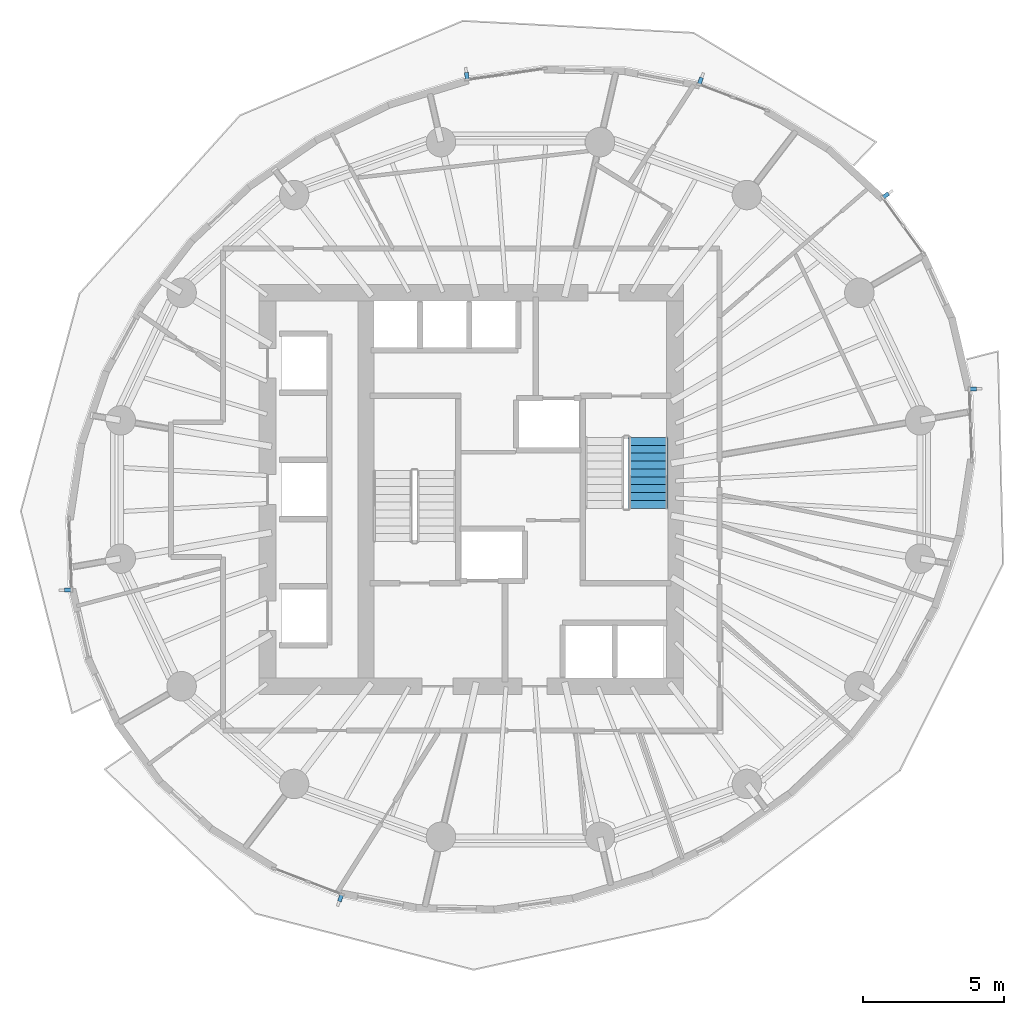
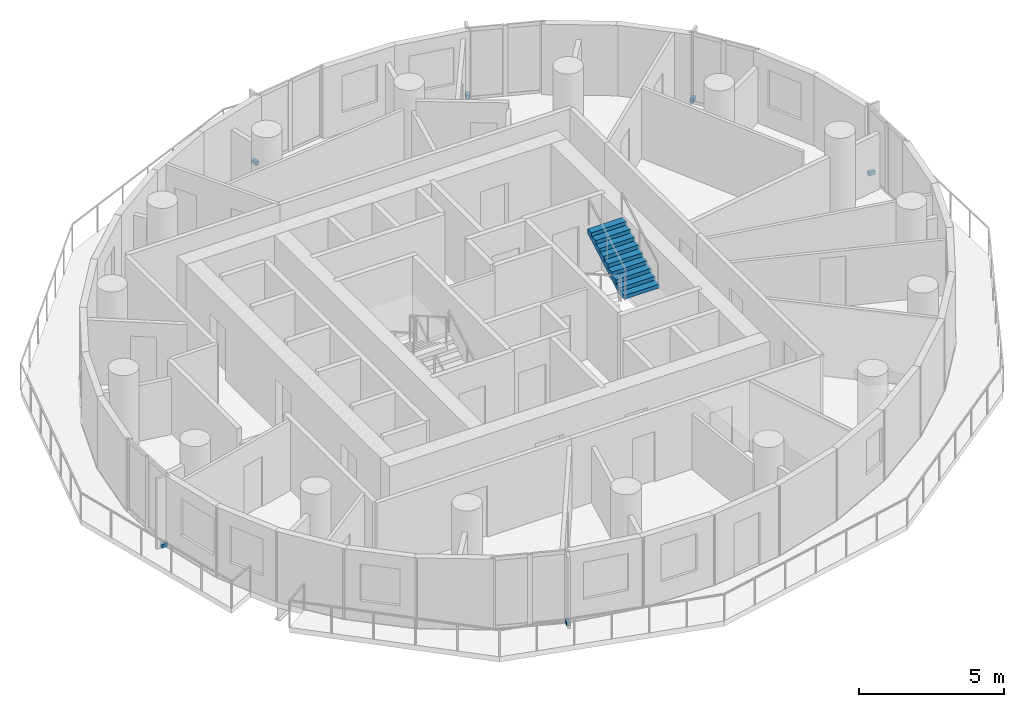
# One storey, part 9 of 14: 6 discrete accessories, 1 stair flight, 1 element without a shape of its own.
"""IFC4 building model written with IfcOpenShell, lengths in metres."""

import ifcopenshell
import ifcopenshell.guid

model = None  # the IFC model being written
_history = None  # IfcOwnerHistory: only IFC2X3 demands one
_inside = {}  # id of a spatial element -> (the spatial element, [elements in it])
_under = {}  # id of a project, library or spatial element -> (it, [spatial elements below it])
_declared = {}  # id of a project -> (the project, [libraries it declares])
_typed = {}  # id of a type object -> (the type object, [elements of that type])
_made_of = {}  # id of a material, layer set ... -> (it, [elements and type objects made of it])


def new_model(schema):
    """Start an empty IFC model of exactly this schema.

    Asked for "IFC4X3", IfcOpenShell would pick the latest addendum, in which some entities
    have other attributes; the version numbers below select the first issue.
    IFC2X3 requires an IfcOwnerHistory on every rooted entity: one is made here for all.
    """
    global model, _history
    if schema == "IFC4X3":
        model = ifcopenshell.file(schema_version=(4, 3, 0, 0))
    else:
        model = ifcopenshell.file(schema=schema)
    _inside.clear()
    _under.clear()
    _declared.clear()
    _typed.clear()
    _made_of.clear()
    _history = None
    if model.schema == "IFC2X3":
        org = make("IfcOrganization", Name="unknown")
        user = make(
            "IfcPersonAndOrganization",
            ThePerson=make("IfcPerson", FamilyName="unknown"),
            TheOrganization=org,
        )
        app = make(
            "IfcApplication",
            ApplicationDeveloper=org,
            Version="unknown",
            ApplicationFullName="unknown",
            ApplicationIdentifier="unknown",
        )
        _history = make(
            "IfcOwnerHistory",
            OwningUser=user,
            OwningApplication=app,
            ChangeAction="ADDED",
            CreationDate=0,
        )
    return model


def make(cls, **values):
    """One entity of the class cls with the attributes given. An attribute that is None is left unset."""
    return model.create_entity(
        cls, **{name: value for name, value in values.items() if value is not None}
    )


def rooted(cls, **values):
    """An entity with a GlobalId (a new one), such as an element, a storey or a relation."""
    return make(cls, GlobalId=ifcopenshell.guid.new(), OwnerHistory=_history, **values)


def si_unit(unit_type, name, prefix=None):
    """IfcSIUnit, for example si_unit("LENGTHUNIT", "METRE", prefix="MILLI")."""
    return make("IfcSIUnit", UnitType=unit_type, Prefix=prefix, Name=name)


def assignment(units):
    """IfcUnitAssignment: the units of a project."""
    return None if units is None else make("IfcUnitAssignment", Units=units)


def point(xyz):
    """IfcCartesianPoint."""
    return None if xyz is None else make("IfcCartesianPoint", Coordinates=xyz)


def direction(xyz):
    """IfcDirection."""
    return None if xyz is None else make("IfcDirection", DirectionRatios=xyz)


def frame(location, z_axis=None, x_axis=None):
    """IfcAxis2Placement3D, a coordinate frame: its origin and axes. An axis left out is left unset."""
    return make(
        "IfcAxis2Placement3D",
        Location=point(location),
        Axis=direction(z_axis),
        RefDirection=direction(x_axis),
    )


def frame_2d(location, x_axis=None):
    """IfcAxis2Placement2D, a coordinate frame in the plane: its origin and x axis."""
    return make(
        "IfcAxis2Placement2D", Location=point(location), RefDirection=direction(x_axis)
    )


def origin():
    """The frame at (0, 0, 0) with its axes left unset."""
    return frame((0.0, 0.0, 0.0))


def origin_2d():
    """The frame at (0, 0) in the plane with its x axis left unset."""
    return frame_2d((0.0, 0.0))


def place(relative_to, where):
    """IfcLocalPlacement: puts the frame where relative to a parent placement (None: the world)."""
    return make(
        "IfcLocalPlacement", PlacementRelTo=relative_to, RelativePlacement=where
    )


def context(
    kind, dimensions, precision=None, world=None, true_north=None, identifier=None
):
    """IfcGeometricRepresentationContext, for example the 3D "Model" context."""
    return make(
        "IfcGeometricRepresentationContext",
        ContextIdentifier=identifier,
        ContextType=kind,
        CoordinateSpaceDimension=dimensions,
        Precision=precision,
        WorldCoordinateSystem=world,
        TrueNorth=true_north,
    )


def subcontext(parent, identifier, kind, view, scale=None):
    """IfcGeometricRepresentationSubContext, for example "Body" below "Model"."""
    return make(
        "IfcGeometricRepresentationSubContext",
        ContextIdentifier=identifier,
        ContextType=kind,
        ParentContext=parent,
        TargetScale=scale,
        TargetView=view,
    )


def project(units=None, contexts=None):
    """IfcProject with its units and contexts."""
    return rooted(
        "IfcProject",
        Name="project",
        RepresentationContexts=contexts,
        UnitsInContext=assignment(units),
    )


def spatial(cls, under=None, at=None, **own):
    """A site, building, storey or space (cls), placed at a placement, below another one or the project."""
    s = rooted(cls, ObjectPlacement=at, **own)
    if under is not None:
        _under.setdefault(under.id(), (under, []))[1].append(s)
    return s


def polyline(points):
    """IfcPolyline through the points."""
    return make("IfcPolyline", Points=[point(p) for p in points])


def profile(cls, at=None, kind="AREA", **sizes):
    """A parametric profile (cls). Its sizes go by their IFC names, for example OverallWidth=200.0."""
    return make(cls, ProfileType=kind, Position=at, **sizes)


def rectangle(**sizes):
    """IfcRectangleProfileDef."""
    return profile("IfcRectangleProfileDef", **sizes)


def outline(outer, holes=None, kind="AREA"):
    """IfcArbitraryClosedProfileDef: a profile drawn as a closed curve; with holes, ...WithVoids."""
    if holes is None:
        return make("IfcArbitraryClosedProfileDef", ProfileType=kind, OuterCurve=outer)
    return make(
        "IfcArbitraryProfileDefWithVoids",
        ProfileType=kind,
        OuterCurve=outer,
        InnerCurves=holes,
    )


def extrude(swept, where, along, depth):
    """IfcExtrudedAreaSolid: the profile swept, set in the frame where, extruded along a direction by depth."""
    return make(
        "IfcExtrudedAreaSolid",
        SweptArea=swept,
        Position=where,
        ExtrudedDirection=direction(along),
        Depth=depth,
    )


def shape(context_of_items, identifier, shape_type, items):
    """IfcShapeRepresentation: the items that make up one representation, for example the "Body"."""
    return make(
        "IfcShapeRepresentation",
        ContextOfItems=context_of_items,
        RepresentationIdentifier=identifier,
        RepresentationType=shape_type,
        Items=items,
    )


def material(Name=None, Category=None):
    """IfcMaterial."""
    return make("IfcMaterial", Name=Name, Category=Category)


def made_of(thing, what):
    """Note that an element or type object is made of a material, layer set ...; save() writes the relation."""
    if what is not None:
        _made_of.setdefault(what.id(), (what, []))[1].append(thing)
    return thing


def type_object(cls, material=None, **own):
    """A type object (cls), such as IfcWallType, which elements share."""
    return made_of(rooted(cls, **own), material)


def element(
    cls,
    number,
    at=None,
    inside=None,
    cuts=None,
    type_object=None,
    material=None,
    context=None,
    identifier="Body",
    shape_type=None,
    held_by="IfcProductDefinitionShape",
    body=None,
    shapes=None,
    **own,
):
    """One element of the class cls, such as IfcWall. Its Tag is "e" and its number.

    at: its placement. inside: the storey or other place that contains it. cuts: it is an
    opening in that element (IfcRelVoidsElement). A single representation is given by context,
    identifier, shape_type and body (its items); several are given by shapes. held_by: the class
    of the entity that holds the representations. save() writes the other relations.
    """
    e = rooted(cls, Tag="e%d" % number, ObjectPlacement=at, **own)
    if body is not None:
        shapes = [shape(context, identifier, shape_type, body)]
    if shapes is not None:
        e.Representation = make(held_by, Representations=shapes)
    if inside is not None:
        _inside.setdefault(inside.id(), (inside, []))[1].append(e)
    if cuts is not None:
        rooted(
            "IfcRelVoidsElement", RelatingBuildingElement=cuts, RelatedOpeningElement=e
        )
    if type_object is not None:
        _typed.setdefault(type_object.id(), (type_object, []))[1].append(e)
    return made_of(e, material)


def aggregate(whole, parts):
    """IfcRelAggregates: a whole, such as a stair, and the parts it consists of."""
    return rooted("IfcRelAggregates", RelatingObject=whole, RelatedObjects=parts)


def save(model, path):
    """Write the relations noted so far, then the file.

    IfcRelAggregates (storeys below a building ...), IfcRelContainedInSpatialStructure (elements
    in a storey), IfcRelDefinesByType, IfcRelAssociatesMaterial and IfcRelDeclares: one each for
    every whole, place, type object, material and project.
    """
    for whole, parts in _under.values():
        aggregate(whole, parts)
    for where, things in _inside.values():
        rooted(
            "IfcRelContainedInSpatialStructure",
            RelatedElements=things,
            RelatingStructure=where,
        )
    for kind, things in _typed.values():
        rooted("IfcRelDefinesByType", RelatedObjects=things, RelatingType=kind)
    for what, things in _made_of.values():
        rooted("IfcRelAssociatesMaterial", RelatedObjects=things, RelatingMaterial=what)
    for by, libraries in _declared.values():
        rooted("IfcRelDeclares", RelatingContext=by, RelatedDefinitions=libraries)
    model.write(path)


model = new_model("IFC4")

# Units and contexts
model_context = context("Model", 3, precision=1e-05, world=origin(), true_north=direction((0.0, 1.0)))
body_context = subcontext(model_context, "Body", "Model", "MODEL_VIEW")
ifc_project = project(units=[si_unit("LENGTHUNIT", "METRE"), si_unit("AREAUNIT", "SQUARE_METRE"), si_unit("VOLUMEUNIT", "CUBIC_METRE"), si_unit("PLANEANGLEUNIT", "RADIAN"), si_unit("MASSUNIT", "GRAM", prefix="KILO")], contexts=[model_context])

# Site, building, storey
site_placement = place(None, origin())
site = spatial("IfcSite", under=ifc_project, at=site_placement, CompositionType="ELEMENT")
building_placement = place(site_placement, origin())
building = spatial("IfcBuilding", under=site, at=building_placement, Name="Veldorim Arch Residences", CompositionType="ELEMENT")
storey_placement = place(building_placement, frame((0.0, 0.0, 126.56005859375)))
storey = spatial("IfcBuildingStorey", under=building, at=storey_placement, Name="L37", CompositionType="ELEMENT", Elevation=126.56005859375)

# Stair, stair flight
ifc_material_1 = material(Name="Concrete C40/50", Category="concrete")
stair_type = type_object("IfcStairType", Name="Reinforced Concrete Dogleg Exit Staircase", PredefinedType="HALF_TURN_STAIR", material=ifc_material_1)
stair_placement = place(storey_placement, origin())
stair = element("IfcStair", 1, at=stair_placement, inside=storey, type_object=stair_type, Name="L37 Exit Staircase ST-2", PredefinedType="HALF_TURN_STAIR")
ifc_material_2 = material(Name="Concrete C40/50", Category="concrete")
stair_flight_type = type_object("IfcStairFlightType", Name="Reinforced Concrete Stair Flight 1400", PredefinedType="STRAIGHT", material=ifc_material_2)
stair_flight_placement = place(storey_placement, frame((36.550048828125, 23.330078125, 1.599853515625), z_axis=(0.0, 0.0, 1.0), x_axis=(0.0, 1.0, 0.0)))
stair_flight = element("IfcStairFlight", 2, at=stair_flight_placement, type_object=stair_flight_type, Name="ST-2 flight 2", NumberOfRisers=10, NumberOfTreads=9, PredefinedType="STRAIGHT", RiserHeight=0.16, TreadLength=0.28, context=body_context, shape_type="SweptSolid", body=[
    extrude(outline(polyline([(0.0, 0.0), (0.0, 0.159912109375), (0.280029296875, 0.159912109375), (0.280029296875, 0.320068359375), (0.56005859375, 0.320068359375), (0.56005859375, 0.47998046875), (0.840087890625, 0.47998046875), (0.840087890625, 0.639892578125), (1.1201171875, 0.639892578125), (1.1201171875, 0.800048828125), (1.39990234375, 0.800048828125), (1.39990234375, 0.9599609375), (1.679931640625, 0.9599609375), (1.679931640625, 1.1201171875), (1.9599609375, 1.1201171875), (1.9599609375, 1.280029296875), (2.239990234375, 1.280029296875), (2.239990234375, 1.43994140625), (2.52001953125, 1.43994140625), (2.52001953125, 1.60009765625), (2.52001953125, 1.255859375), (0.322265625, 0.0), (0.0, 0.0)])), frame((0.0, 0.699951171875, 0.0), z_axis=(0.0, -1.0, 0.0), x_axis=(1.0, 0.0, 0.0)), (0.0, 0.0, 1.0), 1.39990234375),
])
aggregate(stair, [stair_flight])

# Discrete accessories
ifc_material_3 = material(Name="Stainless Steel", Category="steel")
discrete_accessory_type = type_object("IfcDiscreteAccessoryType", Name="Stainless Steel Facade Fin Anchor Bracket", PredefinedType="BRACKET", material=ifc_material_3)
for number, where, z_axis, x_axis, name in (
    (3, (44.99951171875, 34.4619140625, -0.02001953125), (0.0, 0.0, 1.0), (0.587644043238, -0.809119569932, 0.0), "L37 stainless fin anchor bracket 01"),
    (4, (38.40234375, 38.540283203125, -0.02001953125), (0.0, 0.0, 1.0), (0.934079892355, -0.357064076459, 0.0), "L37 stainless fin anchor bracket 04"),
    (5, (30.09033203125, 38.71875, -0.02001953125), (0.0, 0.0, 1.0), (0.989850775563, 0.142110668555, 0.0), "L37 stainless fin anchor bracket 07"),
    (6, (15.89013671875, 20.42041015625, -0.02001953125), (0.0, 0.0, 1.0), (-0.035422771708, 0.999372416692, 0.0), "L37 stainless fin anchor bracket 16"),
    (7, (25.59765625, 9.459716796875, -0.02001953125), (0.0, 0.0, 1.0), (-0.934079892355, 0.357064076459, 0.0), "L37 stainless fin anchor bracket 22"),
    (8, (48.10986328125, 27.57958984375, -0.02001953125), (0.0, 0.0, 1.0), (0.035422771708, -0.999372416692, 0.0), "L37 stainless fin anchor bracket 34"),
):
    element("IfcDiscreteAccessory", number, at=place(storey_placement, frame(where, z_axis=z_axis, x_axis=x_axis)), inside=storey, type_object=discrete_accessory_type, Name=name, PredefinedType="BRACKET", context=body_context, shape_type="SweptSolid", body=[
        extrude(rectangle(XDim=0.139892578125, YDim=0.239990234375, at=origin_2d()), origin(), (0.0, 0.0, 1.0), 0.159912109375),
    ])

save(model, "model.ifc")
